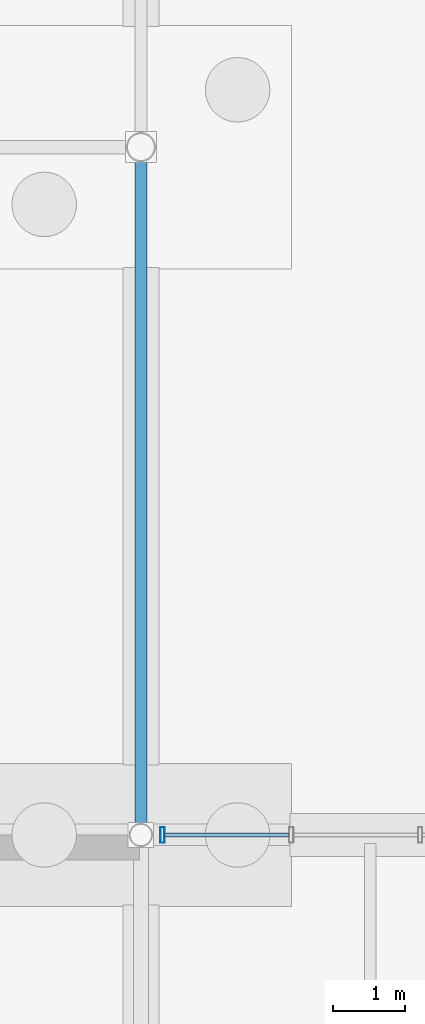
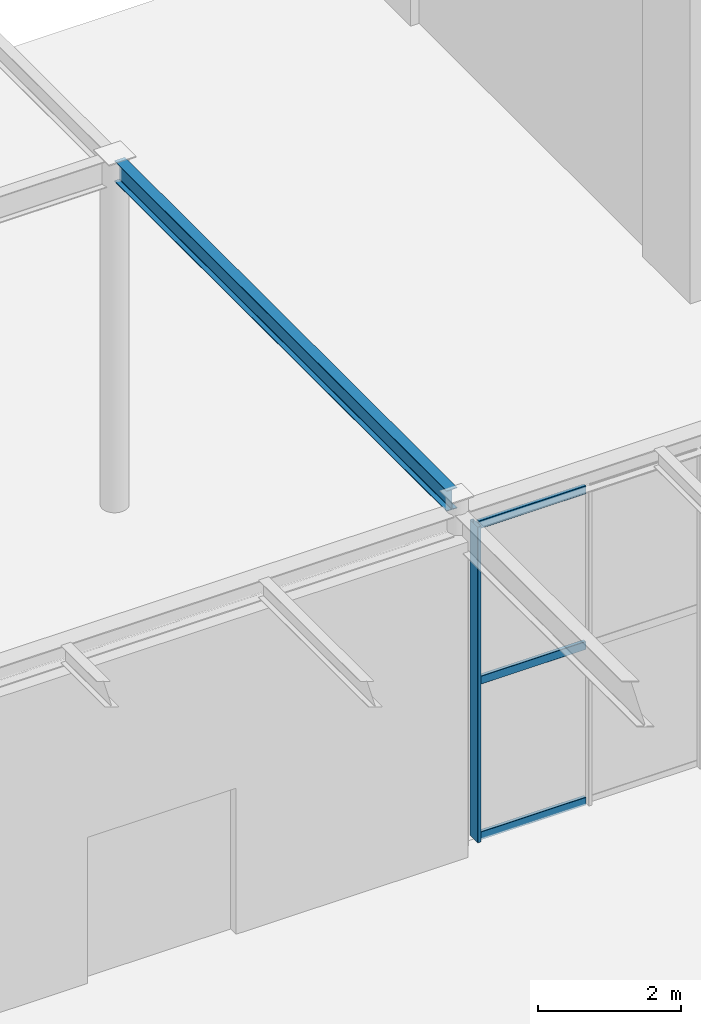
# One storey, part 100 of 142: 4 members, 1 beam, 1 element without a shape of its own.
"""IFC4 building model written with IfcOpenShell, lengths in metres."""

from ifc_helpers import new_model, si_unit, direction, frame, origin, origin_2d, place, context, subcontext, project, spatial, hollow_rectangle, i_section, extrude, material, material_profile, profile_set, type_object, element, aggregate, save


model = new_model("IFC4")

# Units and contexts
model_context = context("Model", 3, precision=1e-05, world=origin(), true_north=direction((0.0, 1.0)))
body_context = subcontext(model_context, "Body", "Model", "MODEL_VIEW")
ifc_project = project(units=[si_unit("LENGTHUNIT", "METRE"), si_unit("AREAUNIT", "SQUARE_METRE"), si_unit("VOLUMEUNIT", "CUBIC_METRE"), si_unit("PLANEANGLEUNIT", "RADIAN"), si_unit("MASSUNIT", "GRAM", prefix="KILO")], contexts=[model_context])

# Site, building, storey
site_placement = place(None, origin())
site = spatial("IfcSite", under=ifc_project, at=site_placement, CompositionType="ELEMENT")
building_placement = place(site_placement, origin())
building = spatial("IfcBuilding", under=site, at=building_placement, Name="Coralgate Yard Interchange", CompositionType="ELEMENT")
storey_placement = place(building_placement, origin())
storey = spatial("IfcBuildingStorey", under=building, at=storey_placement, Name="L00", CompositionType="ELEMENT", Elevation=0.0)

# Beam
ifc_material_1 = material(Name="Structural steel S355J2", Category="steel")
ifc_material_profile_1 = material_profile(ifc_material_1, i_section(OverallWidth=0.17138671875, OverallDepth=0.35498046875, WebThickness=0.00732421875, FlangeThickness=0.011474609375, FilletRadius=0.01025390625, at=origin_2d()), Name="UB 356x171x51")
ifc_profile_set_1 = profile_set([ifc_material_profile_1], Name="Structural steel S355J2")
beam_type = type_object("IfcBeamType", Name="BM-SB-4", PredefinedType="BEAM", material=ifc_profile_set_1)
beam_placement = place(storey_placement, frame((172.800048828125, 96.139892578125, 5.822509765625), z_axis=(0.0, 1.0, 0.0), x_axis=(-1.0, 0.0, 0.0)))
element("IfcBeam", 1, at=beam_placement, inside=storey, type_object=beam_type, Name="Wave-canopy transverse girder X18-Y10", PredefinedType="BEAM", context=body_context, shape_type="SweptSolid", body=[
    extrude(i_section(OverallWidth=0.17138671875, OverallDepth=0.35498046875, WebThickness=0.00732421875, FlangeThickness=0.011474609375, FilletRadius=0.01025390625, at=origin_2d()), origin(), (0.0, 0.0, 1.0), 9.320068359375),
])

# Curtain wall, members
ifc_material_2 = material(Name="Anodised coastal aluminium and solar-control low-E glass", Category="aluminium")
curtain_wall_type = type_object("IfcCurtainWallType", Name="CW-CW-L00-A", PredefinedType="NOTDEFINED", material=ifc_material_2)
curtain_wall_placement = place(storey_placement, origin())
curtain_wall = element("IfcCurtainWall", 2, at=curtain_wall_placement, inside=storey, type_object=curtain_wall_type, Name="L00 unitised curtain wall CW-L00-N-18-09", PredefinedType="NOTDEFINED")
ifc_material_3 = material(Name="Anodised coastal aluminium 6063-T6", Category="aluminium")
ifc_material_profile_2 = material_profile(ifc_material_3, hollow_rectangle(XDim=0.06005859375, YDim=0.219970703125, WallThickness=0.00390625, InnerFilletRadius=0.00390625, OuterFilletRadius=0.008056640625, at=origin_2d()), Name="ALU 60x220x4")
ifc_profile_set_2 = profile_set([ifc_material_profile_2], Name="Anodised coastal aluminium 6063-T6")
member_type_1 = type_object("IfcMemberType", Name="MB-MUL-220", PredefinedType="MULLION", material=ifc_profile_set_2)
member_1_placement = place(storey_placement, frame((173.10009765625, 96.0, 0.0), z_axis=(0.0, 0.0, 1.0), x_axis=(1.0, 0.0, 0.0)))
member_1 = element("IfcMember", 3, at=member_1_placement, type_object=member_type_1, Name="CW-L00-N-18-09 vertical mullion 1", PredefinedType="MULLION", context=body_context, shape_type="SweptSolid", body=[
    extrude(hollow_rectangle(XDim=0.06005859375, YDim=0.219970703125, WallThickness=0.00390625, InnerFilletRadius=0.00390625, OuterFilletRadius=0.008056640625, at=origin_2d()), origin(), (0.0, 0.0, 1.0), 5.39990234375),
])
ifc_material_profile_3 = material_profile(ifc_material_3, hollow_rectangle(XDim=0.06005859375, YDim=0.139892578125, WallThickness=0.00341796875, InnerFilletRadius=0.00341796875, OuterFilletRadius=0.007080078125, at=origin_2d()), Name="ALU 60x140x3.5")
ifc_profile_set_3 = profile_set([ifc_material_profile_3], Name="Anodised coastal aluminium 6063-T6")
member_type_2 = type_object("IfcMemberType", Name="MB-TRN-140", PredefinedType="USERDEFINED", material=ifc_profile_set_3)
member_2_placement = place(storey_placement, frame((173.1298828125, 96.0, 0.034912109375), z_axis=(1.0, 0.0, 0.0), x_axis=(0.0, 1.0, 0.0)))
member_2 = element("IfcMember", 4, at=member_2_placement, type_object=member_type_2, Name="CW-L00-N-18-09 horizontal transom 1-1", ObjectType="TRANSOM", PredefinedType="USERDEFINED", context=body_context, shape_type="SweptSolid", body=[
    extrude(hollow_rectangle(XDim=0.06005859375, YDim=0.139892578125, WallThickness=0.00341796875, InnerFilletRadius=0.00341796875, OuterFilletRadius=0.007080078125, at=origin_2d()), origin(), (0.0, 0.0, 1.0), 1.740234375),
])
member_3_placement = place(storey_placement, frame((173.1298828125, 96.0, 2.699951171875), z_axis=(1.0, 0.0, 0.0), x_axis=(0.0, 1.0, 0.0)))
member_3 = element("IfcMember", 5, at=member_3_placement, type_object=member_type_2, Name="CW-L00-N-18-09 horizontal transom 1-2", ObjectType="TRANSOM", PredefinedType="USERDEFINED", context=body_context, shape_type="SweptSolid", body=[
    extrude(hollow_rectangle(XDim=0.06005859375, YDim=0.139892578125, WallThickness=0.00341796875, InnerFilletRadius=0.00341796875, OuterFilletRadius=0.007080078125, at=origin_2d()), origin(), (0.0, 0.0, 1.0), 1.740234375),
])
member_4_placement = place(storey_placement, frame((173.1298828125, 96.0, 5.364990234375), z_axis=(1.0, 0.0, 0.0), x_axis=(0.0, 1.0, 0.0)))
member_4 = element("IfcMember", 6, at=member_4_placement, type_object=member_type_2, Name="CW-L00-N-18-09 horizontal transom 1-3", ObjectType="TRANSOM", PredefinedType="USERDEFINED", context=body_context, shape_type="SweptSolid", body=[
    extrude(hollow_rectangle(XDim=0.06005859375, YDim=0.139892578125, WallThickness=0.00341796875, InnerFilletRadius=0.00341796875, OuterFilletRadius=0.007080078125, at=origin_2d()), origin(), (0.0, 0.0, 1.0), 1.740234375),
])
aggregate(curtain_wall, [member_1, member_2, member_3, member_4])

save(model, "model.ifc")
